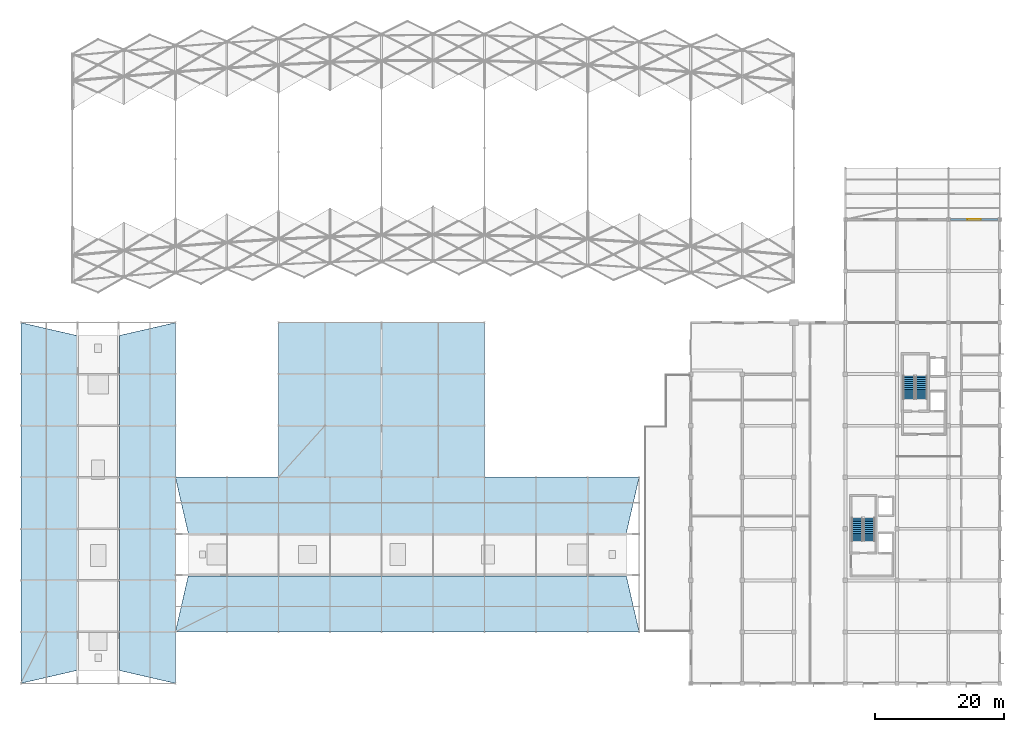
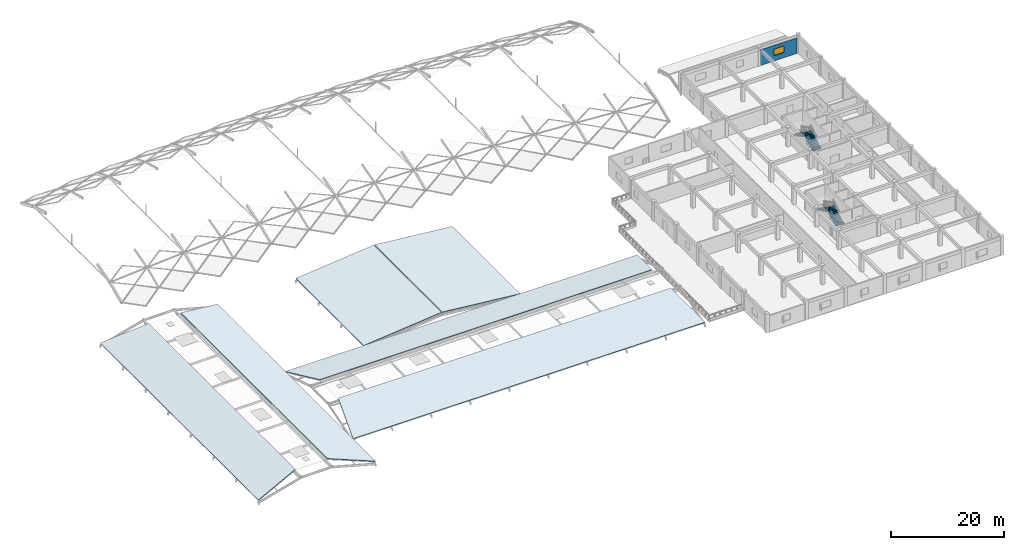
# One storey, part 41 of 54: 6 roofs, 4 stair flights, 1 wall, 1 window, 1 opening, 2 elements without a shape of their own.
"""IFC4 building model written with IfcOpenShell, lengths in metres."""

from ifc_helpers import new_model, si_unit, direction, frame, frame_2d, origin, place, context, subcontext, project, spatial, polyline, rectangle, outline, extrude, material, layer, layer_set, type_object, element, fill, aggregate, save


model = new_model("IFC4")

# Units and contexts
model_context = context("Model", 3, precision=1e-05, world=origin(), true_north=direction((0.0, 1.0)))
body_context = subcontext(model_context, "Body", "Model", "MODEL_VIEW")
ifc_project = project(units=[si_unit("LENGTHUNIT", "METRE"), si_unit("AREAUNIT", "SQUARE_METRE"), si_unit("VOLUMEUNIT", "CUBIC_METRE"), si_unit("PLANEANGLEUNIT", "RADIAN"), si_unit("MASSUNIT", "GRAM", prefix="KILO")], contexts=[model_context])

# Site, building, storey
site_placement = place(None, origin())
site = spatial("IfcSite", under=ifc_project, at=site_placement, CompositionType="ELEMENT")
building_placement = place(site_placement, origin())
building = spatial("IfcBuilding", under=site, at=building_placement, Name="Kenh Van Central Station", CompositionType="ELEMENT")
storey_placement = place(building_placement, frame((0.0, 0.0, 15.0)))
storey = spatial("IfcBuildingStorey", under=building, at=storey_placement, Name="L03", CompositionType="ELEMENT", Elevation=15.0)

# Wall, opening, window
ifc_material_1 = material(Name="Saigon buff sandstone and terracotta masonry", Category="masonry")
ifc_layer_1 = layer(ifc_material_1, 0.2900390625, Name="Saigon buff sandstone and terracotta masonry")
ifc_layer_set_1 = layer_set([ifc_layer_1], Name="Saigon buff sandstone and terracotta masonry")
wall_type = type_object("IfcWallType", Name="WL-EXT-290", PredefinedType="STANDARD", material=ifc_layer_set_1)
wall_placement = place(storey_placement, frame((175.699951171875, 80.0, 0.0), z_axis=(0.0, 0.0, 1.0), x_axis=(-1.0, 0.0, 0.0)))
wall = element("IfcWall", 1, at=wall_placement, inside=storey, type_object=wall_type, Name="L03 exterior wall 116", PredefinedType="STANDARD", context=body_context, shape_type="SweptSolid", body=[
    extrude(rectangle(XDim=7.39990234375, YDim=0.2900390625, at=frame_2d((3.699951171875, 0.0))), origin(), (0.0, 0.0, 1.0), 3.340087890625),
])
opening_placement = place(wall_placement, frame((2.64990234375, 0.0, 1.14990234375)))
opening = element("IfcOpeningElement", 2, at=opening_placement, cuts=wall, Name="Opening WN-18", PredefinedType="OPENING", context=body_context, shape_type="SweptSolid", body=[
    extrude(rectangle(XDim=2.10009765625, YDim=1.39990234375, at=frame_2d((1.050048828125, 0.699951171875))), frame((0.0, 0.155029296875, 0.0), z_axis=(0.0, -1.0, 0.0), x_axis=(1.0, 0.0, 0.0)), (0.0, 0.0, 1.0), 0.31005859375),
])
ifc_material_2 = material(Name="Double-glazed low-E laminated solar glass", Category="glass")
window_type = type_object("IfcWindowType", Name="WN-OP03-2100x1400", PartitioningType="DOUBLE_PANEL_VERTICAL", PredefinedType="WINDOW", material=ifc_material_2)
window_placement = place(opening_placement, origin())
window = element("IfcWindow", 3, at=window_placement, inside=storey, type_object=window_type, Name="L03 window 086", OverallHeight=1.39990234375, OverallWidth=2.10009765625, PartitioningType="SINGLE_PANEL", PredefinedType="WINDOW", context=body_context, shape_type="SweptSolid", body=[
    extrude(rectangle(XDim=2.10009765625, YDim=1.39990234375, at=frame_2d((1.050048828125, 0.699951171875))), frame((0.0, 0.030029296875, 0.0), z_axis=(0.0, -1.0, 0.0), x_axis=(1.0, 0.0, 0.0)), (0.0, 0.0, 1.0), 0.06005859375),
])
fill(opening, window)

# Stair, stair flights
ifc_material_3 = material(Name="Concrete C35/45", Category="concrete")
stair_type_1 = type_object("IfcStairType", Name="STR-DLG-1700", PredefinedType="HALF_TURN_STAIR", material=ifc_material_3)
stair_1_placement = place(storey_placement, origin())
stair_1 = element("IfcStair", 4, at=stair_1_placement, inside=storey, type_object=stair_type_1, Name="L03 Operations South Firefighting Core", PredefinedType="HALF_TURN_STAIR")
ifc_layer_2 = layer(ifc_material_3, 0.179931640625, Name="Concrete C35/45")
ifc_layer_set_2 = layer_set([ifc_layer_2], Name="Concrete C35/45")
stair_flight_type_1 = type_object("IfcStairFlightType", Name="FLT-DLG-1700", PredefinedType="STRAIGHT", material=ifc_layer_set_2)
stair_flight_1_placement = place(storey_placement, frame((155.75, 30.10009765625, 0.0), z_axis=(0.0, 0.0, 1.0), x_axis=(0.0, 1.0, 0.0)))
stair_flight_1 = element("IfcStairFlight", 5, at=stair_flight_1_placement, type_object=stair_flight_type_1, Name="ST-09 flight 1", NumberOfRisers=13, NumberOfTreads=12, PredefinedType="STRAIGHT", RiserHeight=0.161538462, TreadLength=0.3, context=body_context, shape_type="SweptSolid", body=[
    extrude(outline(polyline([(0.0, 0.0), (0.0, 0.16162109375), (0.300048828125, 0.16162109375), (0.300048828125, 0.322998046875), (0.60009765625, 0.322998046875), (0.60009765625, 0.484619140625), (0.89990234375, 0.484619140625), (0.89990234375, 0.646240234375), (1.199951171875, 0.646240234375), (1.199951171875, 0.8076171875), (1.5, 0.8076171875), (1.5, 0.96923828125), (1.800048828125, 0.96923828125), (1.800048828125, 1.130859375), (2.10009765625, 1.130859375), (2.10009765625, 1.292236328125), (2.39990234375, 1.292236328125), (2.39990234375, 1.453857421875), (2.699951171875, 1.453857421875), (2.699951171875, 1.615478515625), (3.0, 1.615478515625), (3.0, 1.77685546875), (3.300048828125, 1.77685546875), (3.300048828125, 1.9384765625), (3.60009765625, 1.9384765625), (3.60009765625, 2.10009765625), (3.60009765625, 1.734130859375), (0.379638671875, 0.0), (0.0, 0.0)])), frame((0.0, 0.85009765625, 0.0), z_axis=(0.0, -1.0, 0.0), x_axis=(1.0, 0.0, 0.0)), (0.0, 0.0, 1.0), 1.699951171875),
])
stair_flight_2_placement = place(storey_placement, frame((153.85009765625, 33.699951171875, 2.10009765625), z_axis=(0.0, 0.0, 1.0), x_axis=(0.0, -1.0, 0.0)))
stair_flight_2 = element("IfcStairFlight", 6, at=stair_flight_2_placement, type_object=stair_flight_type_1, Name="ST-09 flight 2", NumberOfRisers=13, NumberOfTreads=12, PredefinedType="STRAIGHT", RiserHeight=0.161538462, TreadLength=0.3, context=body_context, shape_type="SweptSolid", body=[
    extrude(outline(polyline([(0.0, 0.0), (0.0, 0.16162109375), (0.300048828125, 0.16162109375), (0.300048828125, 0.322998046875), (0.60009765625, 0.322998046875), (0.60009765625, 0.484619140625), (0.89990234375, 0.484619140625), (0.89990234375, 0.646240234375), (1.199951171875, 0.646240234375), (1.199951171875, 0.8076171875), (1.5, 0.8076171875), (1.5, 0.96923828125), (1.800048828125, 0.96923828125), (1.800048828125, 1.130859375), (2.10009765625, 1.130859375), (2.10009765625, 1.292236328125), (2.39990234375, 1.292236328125), (2.39990234375, 1.453857421875), (2.699951171875, 1.453857421875), (2.699951171875, 1.615478515625), (3.0, 1.615478515625), (3.0, 1.77685546875), (3.300048828125, 1.77685546875), (3.300048828125, 1.9384765625), (3.60009765625, 1.9384765625), (3.60009765625, 2.10009765625), (3.60009765625, 1.734130859375), (0.379638671875, 0.0), (0.0, 0.0)])), frame((0.0, 0.85009765625, 0.0), z_axis=(0.0, -1.0, 0.0), x_axis=(1.0, 0.0, 0.0)), (0.0, 0.0, 1.0), 1.699951171875),
])
aggregate(stair_1, [stair_flight_1, stair_flight_2])

stair_type_2 = type_object("IfcStairType", Name="STR-DLG-1750", PredefinedType="HALF_TURN_STAIR", material=ifc_material_3)
stair_2_placement = place(storey_placement, origin())
stair_2 = element("IfcStair", 7, at=stair_2_placement, inside=storey, type_object=stair_type_2, Name="L03 Operations North Firefighting and Goods Core", PredefinedType="HALF_TURN_STAIR")
ifc_layer_3 = layer(ifc_material_3, 0.179931640625, Name="Concrete C35/45")
ifc_layer_set_3 = layer_set([ifc_layer_3], Name="Concrete C35/45")
stair_flight_type_2 = type_object("IfcStairFlightType", Name="FLT-DLG-1750", PredefinedType="STRAIGHT", material=ifc_layer_set_3)
stair_flight_3_placement = place(storey_placement, frame((163.824951171875, 52.14990234375, 0.0), z_axis=(0.0, 0.0, 1.0), x_axis=(0.0, 1.0, 0.0)))
stair_flight_3 = element("IfcStairFlight", 8, at=stair_flight_3_placement, type_object=stair_flight_type_2, Name="ST-10 flight 1", NumberOfRisers=13, NumberOfTreads=12, PredefinedType="STRAIGHT", RiserHeight=0.161538462, TreadLength=0.3, context=body_context, shape_type="SweptSolid", body=[
    extrude(outline(polyline([(0.0, 0.0), (0.0, 0.16162109375), (0.300048828125, 0.16162109375), (0.300048828125, 0.322998046875), (0.60009765625, 0.322998046875), (0.60009765625, 0.484619140625), (0.89990234375, 0.484619140625), (0.89990234375, 0.646240234375), (1.199951171875, 0.646240234375), (1.199951171875, 0.8076171875), (1.5, 0.8076171875), (1.5, 0.96923828125), (1.800048828125, 0.96923828125), (1.800048828125, 1.130859375), (2.10009765625, 1.130859375), (2.10009765625, 1.292236328125), (2.39990234375, 1.292236328125), (2.39990234375, 1.453857421875), (2.699951171875, 1.453857421875), (2.699951171875, 1.615478515625), (3.0, 1.615478515625), (3.0, 1.77685546875), (3.300048828125, 1.77685546875), (3.300048828125, 1.9384765625), (3.60009765625, 1.9384765625), (3.60009765625, 2.10009765625), (3.60009765625, 1.734130859375), (0.379638671875, 0.0), (0.0, 0.0)])), frame((0.0, 0.875, 0.0), z_axis=(0.0, -1.0, 0.0), x_axis=(1.0, 0.0, 0.0)), (0.0, 0.0, 1.0), 1.75),
])
stair_flight_4_placement = place(storey_placement, frame((161.875, 55.75, 2.10009765625), z_axis=(0.0, 0.0, 1.0), x_axis=(0.0, -1.0, 0.0)))
stair_flight_4 = element("IfcStairFlight", 9, at=stair_flight_4_placement, type_object=stair_flight_type_2, Name="ST-10 flight 2", NumberOfRisers=13, NumberOfTreads=12, PredefinedType="STRAIGHT", RiserHeight=0.161538462, TreadLength=0.3, context=body_context, shape_type="SweptSolid", body=[
    extrude(outline(polyline([(0.0, 0.0), (0.0, 0.16162109375), (0.300048828125, 0.16162109375), (0.300048828125, 0.322998046875), (0.60009765625, 0.322998046875), (0.60009765625, 0.484619140625), (0.89990234375, 0.484619140625), (0.89990234375, 0.646240234375), (1.199951171875, 0.646240234375), (1.199951171875, 0.8076171875), (1.5, 0.8076171875), (1.5, 0.96923828125), (1.800048828125, 0.96923828125), (1.800048828125, 1.130859375), (2.10009765625, 1.130859375), (2.10009765625, 1.292236328125), (2.39990234375, 1.292236328125), (2.39990234375, 1.453857421875), (2.699951171875, 1.453857421875), (2.699951171875, 1.615478515625), (3.0, 1.615478515625), (3.0, 1.77685546875), (3.300048828125, 1.77685546875), (3.300048828125, 1.9384765625), (3.60009765625, 1.9384765625), (3.60009765625, 2.10009765625), (3.60009765625, 1.734130859375), (0.379638671875, 0.0), (0.0, 0.0)])), frame((0.0, 0.875, 0.0), z_axis=(0.0, -1.0, 0.0), x_axis=(1.0, 0.0, 0.0)), (0.0, 0.0, 1.0), 1.75),
])
aggregate(stair_2, [stair_flight_3, stair_flight_4])

# Roofs
ifc_material_4 = material(Name="Glazed terracotta roof tile", Category="masonry")
ifc_layer_4 = layer(ifc_material_4, 0.094970703125, Name="Glazed terracotta roof tile")
ifc_layer_set_4 = layer_set([ifc_layer_4], Name="Glazed terracotta roof tile")
roof_type = type_object("IfcRoofType", Name="ROOF-HIP-WING", PredefinedType="HIP_ROOF", material=ifc_layer_set_4)
roof_1_placement = place(storey_placement, frame((48.0, 16.0, 0.094970703125), z_axis=(0.0, -0.306369735686, 0.95191259318), x_axis=(1.0, 0.0, 0.0)))
element("IfcRoof", 10, at=roof_1_placement, inside=storey, type_object=roof_type, Name="L03 sloped hip roof 03", PredefinedType="HIP_ROOF", context=body_context, shape_type="SweptSolid", body=[
    extrude(outline(polyline([(0.0, 0.0), (72.0, 0.0), (70.0, 9.139443299944114), (2.0, 9.139443299944114), (0.0, 0.0)])), origin(), (0.0, 0.0, -1.0), 0.094970703125),
])
roof_2_placement = place(storey_placement, frame((50.0, 31.300048828125, 2.89501953125), z_axis=(0.0, 0.306369735686, 0.95191259318), x_axis=(1.0, 0.0, 0.0)))
element("IfcRoof", 11, at=roof_2_placement, inside=storey, type_object=roof_type, Name="L03 sloped hip roof 04", PredefinedType="HIP_ROOF", context=body_context, shape_type="SweptSolid", body=[
    extrude(outline(polyline([(0.0, 0.0), (68.0, 0.0), (70.0, 9.139443299944114), (-2.0, 9.139443299944114), (0.0, 0.0)])), origin(), (0.0, 0.0, -1.0), 0.094970703125),
])
for number, where, z_axis, x_axis, name in (
    (12, (64.0, 40.0, 0.094970703125), (-0.100129933045, 0.0, 0.994974369775), (0.994974369775, 0.0, 0.100129933045), "L03 sloped hip roof 05"),
    (13, (80.10009765625, 40.0, 1.695068359375), (0.100129933045, 0.0, 0.994974369775), (0.994974369775, 0.0, -0.100129933045), "L03 sloped hip roof 06"),
):
    element("IfcRoof", number, at=place(storey_placement, frame(where, z_axis=z_axis, x_axis=x_axis)), inside=storey, type_object=roof_type, Name=name, PredefinedType="HIP_ROOF", context=body_context, shape_type="SweptSolid", body=[
        extrude(outline(polyline([(0.0, 0.0), (15.980212985136447, 0.0), (15.980212985136447, 23.999999999999996), (0.0, 23.999999999999996), (0.0, 0.0)])), origin(), (0.0, 0.0, -1.0), 0.094970703125),
    ])
roof_3_placement = place(storey_placement, frame((24.0, 8.0, 0.094970703125), z_axis=(-0.265945468251, 0.0, 0.963988074572), x_axis=(0.941155000008, 0.216358685564, 0.25964626926)))
element("IfcRoof", 14, at=roof_3_placement, inside=storey, type_object=roof_type, Name="L03 sloped hip roof 07", PredefinedType="HIP_ROOF", context=body_context, shape_type="SweptSolid", body=[
    extrude(outline(polyline([(0.0, 0.0), (9.243908996710582, -3.3306690738754696e-16), (20.494560646029942, 50.76832513945745), (12.116086391574697, 54.67358091941571), (0.0, 0.0)])), origin(), (0.0, 0.0, -1.0), 0.094970703125),
])
roof_4_placement = place(storey_placement, frame((39.300048828125, 10.0, 2.4951171875), z_axis=(0.265945468251, 0.0, 0.963988074572), x_axis=(0.941155000008, -0.216358685564, -0.25964626926)))
element("IfcRoof", 15, at=roof_4_placement, inside=storey, type_object=roof_type, Name="L03 sloped hip roof 08", PredefinedType="HIP_ROOF", context=body_context, shape_type="SweptSolid", body=[
    extrude(outline(polyline([(0.0, 0.0), (9.243908996710582, 3.3306690738754696e-16), (-2.872177394864113, 54.67358091941572), (-11.25065164931936, 50.76832513945745), (0.0, 0.0)])), origin(), (0.0, 0.0, -1.0), 0.094970703125),
])

save(model, "model.ifc")
